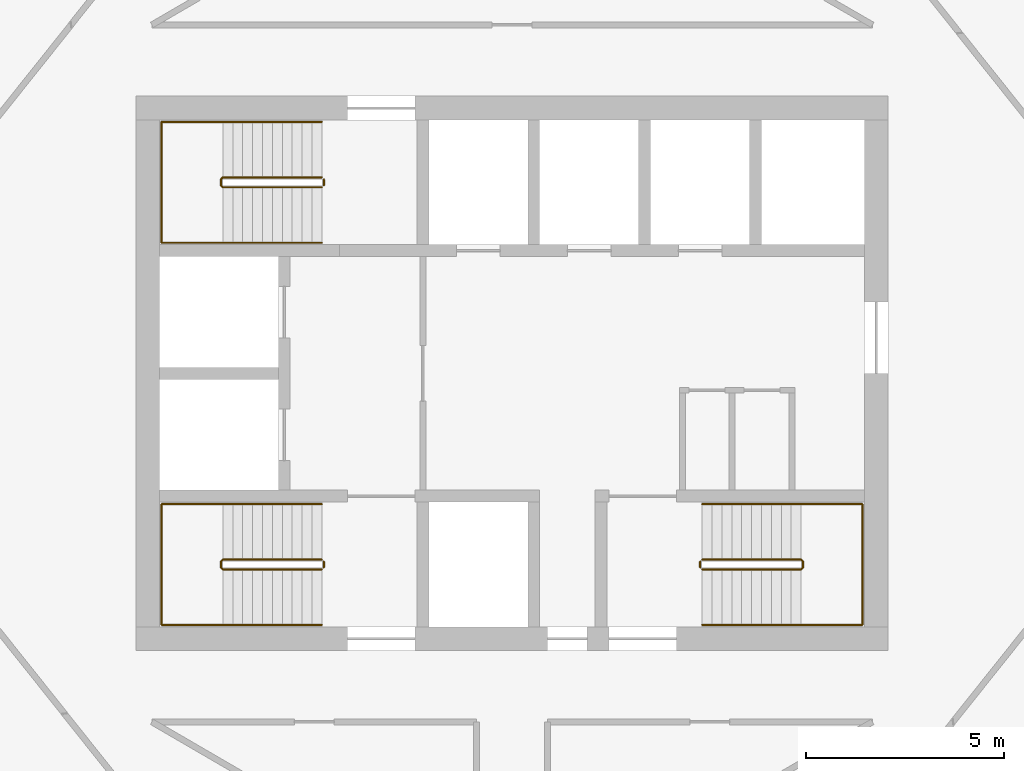
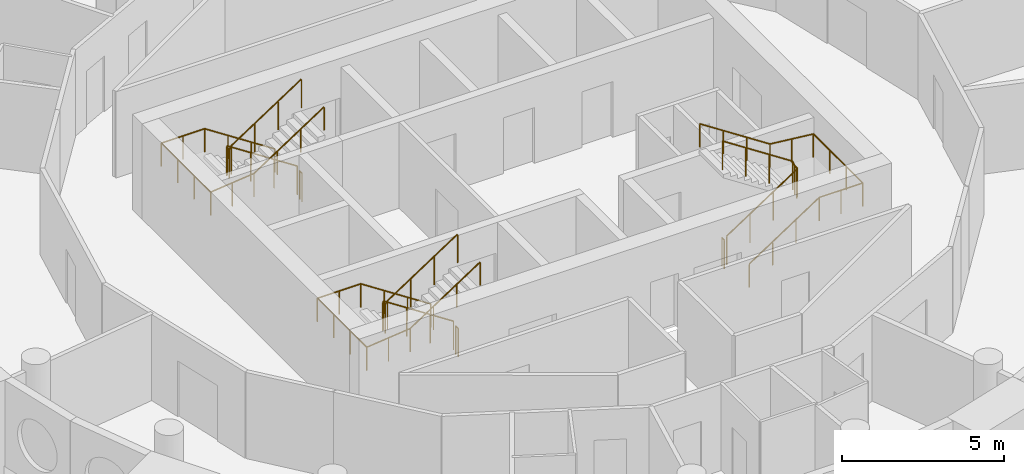
# One storey, part 13 of 13: 9 railings.
"""IFC4 building model written with IfcOpenShell, lengths in metres."""

from ifc_helpers import new_model, si_unit, direction, frame, origin, origin_2d, place, context, subcontext, project, spatial, circle, extrude, material, type_object, element, save


model = new_model("IFC4")

# Units and contexts
model_context = context("Model", 3, precision=1e-05, world=origin(), true_north=direction((0.0, 1.0)))
body_context = subcontext(model_context, "Body", "Model", "MODEL_VIEW")
ifc_project = project(units=[si_unit("LENGTHUNIT", "METRE"), si_unit("AREAUNIT", "SQUARE_METRE"), si_unit("VOLUMEUNIT", "CUBIC_METRE"), si_unit("PLANEANGLEUNIT", "RADIAN"), si_unit("MASSUNIT", "GRAM", prefix="KILO")], contexts=[model_context])

# Site, building, storey
site_placement = place(None, origin())
site = spatial("IfcSite", under=ifc_project, at=site_placement, CompositionType="ELEMENT")
building_placement = place(site_placement, origin())
building = spatial("IfcBuilding", under=site, at=building_placement, Name="Tracery Tower", CompositionType="ELEMENT")
storey_placement = place(building_placement, frame((0.0, 0.0, 316.199951171875)))
storey = spatial("IfcBuildingStorey", under=building, at=storey_placement, Name="L82", CompositionType="ELEMENT", Elevation=316.199951171875)

# Railings
ifc_material_1 = material(Name="Stainless steel and laminated glass", Category="steel")
railing_type_1 = type_object("IfcRailingType", Name="Stair guard 1100", PredefinedType="GUARDRAIL", material=ifc_material_1)
railing_1_placement = place(storey_placement, frame((-4.800048828125, -4.699951171875, 0.16357421875)))
element("IfcRailing", 1, at=railing_1_placement, inside=storey, type_object=railing_type_1, Name="L82 stair ST1 guard 1", PredefinedType="GUARDRAIL", context=body_context, shape_type="SweptSolid", body=[
    extrude(circle(Radius=0.02392578125, at=origin_2d()), frame((0.0, 0.0, 1.076171875), z_axis=(-0.83668449804, 0.0, 0.54768517484), x_axis=(0.0, -1.0, 0.0)), (0.0, 0.0, 1.0), 2.988037109375),
    extrude(circle(Radius=0.02392578125, at=origin_2d()), frame((-2.5, 0.0, 2.71240234375), z_axis=(-0.707106781187, -0.707106781187, 0.0), x_axis=(0.707106781187, -0.707106781187, 0.0)), (0.0, 0.0, 1.0), 0.07080078125),
    extrude(circle(Radius=0.02392578125, at=origin_2d()), frame((-2.550048828125, -0.050048828125, 2.71240234375), z_axis=(0.0, -1.0, 0.0), x_axis=(1.0, 0.0, 0.0)), (0.0, 0.0, 1.0), 0.14990234375),
    extrude(circle(Radius=0.02392578125, at=origin_2d()), frame((-2.550048828125, -0.199951171875, 2.71240234375), z_axis=(0.280808744504, -0.280808744504, 0.917765164963), x_axis=(0.707106781187, 0.707106781187, 0.0)), (0.0, 0.0, 1.0), 0.17822265625),
    extrude(circle(Radius=0.02392578125, at=origin_2d()), frame((-2.5, -0.25, 2.8759765625), z_axis=(0.83668449804, 0.0, 0.54768517484), x_axis=(0.0, 1.0, 0.0)), (0.0, 0.0, 1.0), 2.988037109375),
    extrude(circle(Radius=0.02099609375, at=origin_2d()), origin(), (0.0, 0.0, 1.0), 1.052001953125),
    extrude(circle(Radius=0.02099609375, at=origin_2d()), frame((-0.833251953125, 0.0, 0.54541015625)), (0.0, 0.0, 1.0), 1.052001953125),
    extrude(circle(Radius=0.02099609375, at=origin_2d()), frame((-1.666748046875, 0.0, 1.091064453125)), (0.0, 0.0, 1.0), 1.052001953125),
    extrude(circle(Radius=0.02099609375, at=origin_2d()), frame((-2.5, 0.0, 1.636474609375)), (0.0, 0.0, 1.0), 1.052001953125),
    extrude(circle(Radius=0.02099609375, at=origin_2d()), frame((-2.550048828125, -0.050048828125, 1.636474609375)), (0.0, 0.0, 1.0), 1.052001953125),
    extrude(circle(Radius=0.02099609375, at=origin_2d()), frame((-2.550048828125, -0.199951171875, 1.636474609375)), (0.0, 0.0, 1.0), 1.052001953125),
    extrude(circle(Radius=0.02099609375, at=origin_2d()), frame((-2.5, -0.25, 1.800048828125)), (0.0, 0.0, 1.0), 1.052001953125),
    extrude(circle(Radius=0.02099609375, at=origin_2d()), frame((-1.666748046875, -0.25, 2.345458984375)), (0.0, 0.0, 1.0), 1.052001953125),
    extrude(circle(Radius=0.02099609375, at=origin_2d()), frame((-0.833251953125, -0.25, 2.89111328125)), (0.0, 0.0, 1.0), 1.052001953125),
    extrude(circle(Radius=0.02099609375, at=origin_2d()), frame((0.0, -0.25, 3.4365234375)), (0.0, 0.0, 1.0), 1.052001953125),
])
railing_2_placement = place(storey_placement, frame((-4.75, -4.75, 0.0)))
element("IfcRailing", 2, at=railing_2_placement, inside=storey, type_object=railing_type_1, Name="L82 stair ST1 guard 2", PredefinedType="GUARDRAIL", context=body_context, shape_type="SweptSolid", body=[
    extrude(circle(Radius=0.02392578125, at=origin_2d()), frame((0.0, 0.0, 1.076171875), z_axis=(0.0, -1.0, 0.0), x_axis=(1.0, 0.0, 0.0)), (0.0, 0.0, 1.0), 0.14990234375),
    extrude(circle(Radius=0.02099609375, at=origin_2d()), origin(), (0.0, 0.0, 1.0), 1.052001953125),
    extrude(circle(Radius=0.02099609375, at=origin_2d()), frame((0.0, -0.14990234375, 0.0)), (0.0, 0.0, 1.0), 1.052001953125),
])
railing_3_placement = place(storey_placement, frame((-4.800048828125, 4.949951171875, 0.16357421875)))
element("IfcRailing", 3, at=railing_3_placement, inside=storey, type_object=railing_type_1, Name="L82 stair ST3 guard 1", PredefinedType="GUARDRAIL", context=body_context, shape_type="SweptSolid", body=[
    extrude(circle(Radius=0.02392578125, at=origin_2d()), frame((0.0, 0.0, 1.076171875), z_axis=(-0.83668449804, 0.0, 0.54768517484), x_axis=(0.0, -1.0, 0.0)), (0.0, 0.0, 1.0), 2.988037109375),
    extrude(circle(Radius=0.02392578125, at=origin_2d()), frame((-2.5, 0.0, 2.71240234375), z_axis=(-0.707106781187, -0.707106781187, 0.0), x_axis=(0.707106781187, -0.707106781187, 0.0)), (0.0, 0.0, 1.0), 0.07080078125),
    extrude(circle(Radius=0.02392578125, at=origin_2d()), frame((-2.550048828125, -0.050048828125, 2.71240234375), z_axis=(0.0, -1.0, 0.0), x_axis=(1.0, 0.0, 0.0)), (0.0, 0.0, 1.0), 0.14990234375),
    extrude(circle(Radius=0.02392578125, at=origin_2d()), frame((-2.550048828125, -0.199951171875, 2.71240234375), z_axis=(0.280808744504, -0.280808744504, 0.917765164963), x_axis=(0.707106781187, 0.707106781187, 0.0)), (0.0, 0.0, 1.0), 0.17822265625),
    extrude(circle(Radius=0.02392578125, at=origin_2d()), frame((-2.5, -0.25, 2.8759765625), z_axis=(0.83668449804, 0.0, 0.54768517484), x_axis=(0.0, 1.0, 0.0)), (0.0, 0.0, 1.0), 2.988037109375),
    extrude(circle(Radius=0.02099609375, at=origin_2d()), origin(), (0.0, 0.0, 1.0), 1.052001953125),
    extrude(circle(Radius=0.02099609375, at=origin_2d()), frame((-0.833251953125, 0.0, 0.54541015625)), (0.0, 0.0, 1.0), 1.052001953125),
    extrude(circle(Radius=0.02099609375, at=origin_2d()), frame((-1.666748046875, 0.0, 1.091064453125)), (0.0, 0.0, 1.0), 1.052001953125),
    extrude(circle(Radius=0.02099609375, at=origin_2d()), frame((-2.5, 0.0, 1.636474609375)), (0.0, 0.0, 1.0), 1.052001953125),
    extrude(circle(Radius=0.02099609375, at=origin_2d()), frame((-2.550048828125, -0.050048828125, 1.636474609375)), (0.0, 0.0, 1.0), 1.052001953125),
    extrude(circle(Radius=0.02099609375, at=origin_2d()), frame((-2.550048828125, -0.199951171875, 1.636474609375)), (0.0, 0.0, 1.0), 1.052001953125),
    extrude(circle(Radius=0.02099609375, at=origin_2d()), frame((-2.5, -0.25, 1.800048828125)), (0.0, 0.0, 1.0), 1.052001953125),
    extrude(circle(Radius=0.02099609375, at=origin_2d()), frame((-1.666748046875, -0.25, 2.345458984375)), (0.0, 0.0, 1.0), 1.052001953125),
    extrude(circle(Radius=0.02099609375, at=origin_2d()), frame((-0.833251953125, -0.25, 2.89111328125)), (0.0, 0.0, 1.0), 1.052001953125),
    extrude(circle(Radius=0.02099609375, at=origin_2d()), frame((0.0, -0.25, 3.4365234375)), (0.0, 0.0, 1.0), 1.052001953125),
])
railing_4_placement = place(storey_placement, frame((-4.75, 4.89990234375, 0.0)))
element("IfcRailing", 4, at=railing_4_placement, inside=storey, type_object=railing_type_1, Name="L82 stair ST3 guard 2", PredefinedType="GUARDRAIL", context=body_context, shape_type="SweptSolid", body=[
    extrude(circle(Radius=0.02392578125, at=origin_2d()), frame((0.0, 0.0, 1.076171875), z_axis=(0.0, -1.0, 0.0), x_axis=(1.0, 0.0, 0.0)), (0.0, 0.0, 1.0), 0.14990234375),
    extrude(circle(Radius=0.02099609375, at=origin_2d()), origin(), (0.0, 0.0, 1.0), 1.052001953125),
    extrude(circle(Radius=0.02099609375, at=origin_2d()), frame((0.0, -0.14990234375, 0.0)), (0.0, 0.0, 1.0), 1.052001953125),
])
railing_5_placement = place(storey_placement, frame((4.800048828125, -4.949951171875, 0.16357421875)))
element("IfcRailing", 5, at=railing_5_placement, inside=storey, type_object=railing_type_1, Name="L82 stair ST2 guard 1", PredefinedType="GUARDRAIL", context=body_context, shape_type="SweptSolid", body=[
    extrude(circle(Radius=0.02392578125, at=origin_2d()), frame((0.0, 0.0, 1.076171875), z_axis=(0.83668449804, 0.0, 0.54768517484), x_axis=(0.0, 1.0, 0.0)), (0.0, 0.0, 1.0), 2.988037109375),
    extrude(circle(Radius=0.02392578125, at=origin_2d()), frame((2.5, 0.0, 2.71240234375), z_axis=(0.707106781187, 0.707106781187, 0.0), x_axis=(-0.707106781187, 0.707106781187, 0.0)), (0.0, 0.0, 1.0), 0.07080078125),
    extrude(circle(Radius=0.02392578125, at=origin_2d()), frame((2.550048828125, 0.050048828125, 2.71240234375), z_axis=(0.0, 1.0, 0.0), x_axis=(-1.0, 0.0, 0.0)), (0.0, 0.0, 1.0), 0.14990234375),
    extrude(circle(Radius=0.02392578125, at=origin_2d()), frame((2.550048828125, 0.199951171875, 2.71240234375), z_axis=(-0.280808744504, 0.280808744504, 0.917765164963), x_axis=(-0.707106781187, -0.707106781187, 0.0)), (0.0, 0.0, 1.0), 0.17822265625),
    extrude(circle(Radius=0.02392578125, at=origin_2d()), frame((2.5, 0.25, 2.8759765625), z_axis=(-0.83668449804, 0.0, 0.54768517484), x_axis=(0.0, -1.0, 0.0)), (0.0, 0.0, 1.0), 2.988037109375),
    extrude(circle(Radius=0.02099609375, at=origin_2d()), origin(), (0.0, 0.0, 1.0), 1.052001953125),
    extrude(circle(Radius=0.02099609375, at=origin_2d()), frame((0.833251953125, 0.0, 0.54541015625)), (0.0, 0.0, 1.0), 1.052001953125),
    extrude(circle(Radius=0.02099609375, at=origin_2d()), frame((1.666748046875, 0.0, 1.091064453125)), (0.0, 0.0, 1.0), 1.052001953125),
    extrude(circle(Radius=0.02099609375, at=origin_2d()), frame((2.5, 0.0, 1.636474609375)), (0.0, 0.0, 1.0), 1.052001953125),
    extrude(circle(Radius=0.02099609375, at=origin_2d()), frame((2.550048828125, 0.050048828125, 1.636474609375)), (0.0, 0.0, 1.0), 1.052001953125),
    extrude(circle(Radius=0.02099609375, at=origin_2d()), frame((2.550048828125, 0.199951171875, 1.636474609375)), (0.0, 0.0, 1.0), 1.052001953125),
    extrude(circle(Radius=0.02099609375, at=origin_2d()), frame((2.5, 0.25, 1.800048828125)), (0.0, 0.0, 1.0), 1.052001953125),
    extrude(circle(Radius=0.02099609375, at=origin_2d()), frame((1.666748046875, 0.25, 2.345458984375)), (0.0, 0.0, 1.0), 1.052001953125),
    extrude(circle(Radius=0.02099609375, at=origin_2d()), frame((0.833251953125, 0.25, 2.89111328125)), (0.0, 0.0, 1.0), 1.052001953125),
    extrude(circle(Radius=0.02099609375, at=origin_2d()), frame((0.0, 0.25, 3.4365234375)), (0.0, 0.0, 1.0), 1.052001953125),
])
railing_6_placement = place(storey_placement, frame((4.75, -4.89990234375, 0.0)))
element("IfcRailing", 6, at=railing_6_placement, inside=storey, type_object=railing_type_1, Name="L82 stair ST2 guard 2", PredefinedType="GUARDRAIL", context=body_context, shape_type="SweptSolid", body=[
    extrude(circle(Radius=0.02392578125, at=origin_2d()), frame((0.0, 0.0, 1.076171875), z_axis=(0.0, 1.0, 0.0), x_axis=(-1.0, 0.0, 0.0)), (0.0, 0.0, 1.0), 0.14990234375),
    extrude(circle(Radius=0.02099609375, at=origin_2d()), origin(), (0.0, 0.0, 1.0), 1.052001953125),
    extrude(circle(Radius=0.02099609375, at=origin_2d()), frame((0.0, 0.14990234375, 0.0)), (0.0, 0.0, 1.0), 1.052001953125),
])
ifc_material_2 = material(Name="Stainless steel and laminated glass", Category="steel")
railing_type_2 = type_object("IfcRailingType", Name="Stair handrail 900", PredefinedType="HANDRAIL", material=ifc_material_2)
railing_7_placement = place(storey_placement, frame((-4.800048828125, -3.300048828125, 0.16357421875)))
element("IfcRailing", 7, at=railing_7_placement, inside=storey, type_object=railing_type_2, Name="L82 stair ST1 handrail 1", PredefinedType="HANDRAIL", context=body_context, shape_type="SweptSolid", body=[
    extrude(circle(Radius=0.02392578125, at=origin_2d()), frame((0.0, 0.0, 0.8759765625), z_axis=(-0.83668449804, 0.0, 0.54768517484), x_axis=(0.0, -1.0, 0.0)), (0.0, 0.0, 1.0), 2.988037109375),
    extrude(circle(Radius=0.02392578125, at=origin_2d()), frame((-2.5, 0.0, 2.51220703125), z_axis=(-1.0, 0.0, 0.0), x_axis=(0.0, -1.0, 0.0)), (0.0, 0.0, 1.0), 1.550048828125),
    extrude(circle(Radius=0.02392578125, at=origin_2d()), frame((-4.050048828125, 0.0, 2.51220703125), z_axis=(0.0, -1.0, 0.0), x_axis=(1.0, 0.0, 0.0)), (0.0, 0.0, 1.0), 3.050048828125),
    extrude(circle(Radius=0.02392578125, at=origin_2d()), frame((-4.050048828125, -3.050048828125, 2.51220703125), z_axis=(0.994477953863, 0.0, 0.104945696817), x_axis=(0.0, 1.0, 0.0)), (0.0, 0.0, 1.0), 1.55859375),
    extrude(circle(Radius=0.02392578125, at=origin_2d()), frame((-2.5, -3.050048828125, 2.67578125), z_axis=(0.83668449804, 0.0, 0.54768517484), x_axis=(0.0, 1.0, 0.0)), (0.0, 0.0, 1.0), 2.988037109375),
    extrude(circle(Radius=0.02099609375, at=origin_2d()), origin(), (0.0, 0.0, 1.0), 0.851806640625),
    extrude(circle(Radius=0.02099609375, at=origin_2d()), frame((-0.833251953125, 0.0, 0.54541015625)), (0.0, 0.0, 1.0), 0.851806640625),
    extrude(circle(Radius=0.02099609375, at=origin_2d()), frame((-1.666748046875, 0.0, 1.091064453125)), (0.0, 0.0, 1.0), 0.851806640625),
    extrude(circle(Radius=0.02099609375, at=origin_2d()), frame((-2.5, 0.0, 1.636474609375)), (0.0, 0.0, 1.0), 0.851806640625),
    extrude(circle(Radius=0.02099609375, at=origin_2d()), frame((-3.27490234375, 0.0, 1.636474609375)), (0.0, 0.0, 1.0), 0.851806640625),
    extrude(circle(Radius=0.02099609375, at=origin_2d()), frame((-4.050048828125, 0.0, 1.636474609375)), (0.0, 0.0, 1.0), 0.851806640625),
    extrude(circle(Radius=0.02099609375, at=origin_2d()), frame((-4.050048828125, -1.0166015625, 1.636474609375)), (0.0, 0.0, 1.0), 0.851806640625),
    extrude(circle(Radius=0.02099609375, at=origin_2d()), frame((-4.050048828125, -2.033447265625, 1.636474609375)), (0.0, 0.0, 1.0), 0.851806640625),
    extrude(circle(Radius=0.02099609375, at=origin_2d()), frame((-4.050048828125, -3.050048828125, 1.636474609375)), (0.0, 0.0, 1.0), 0.851806640625),
    extrude(circle(Radius=0.02099609375, at=origin_2d()), frame((-3.27490234375, -3.050048828125, 1.71826171875)), (0.0, 0.0, 1.0), 0.851806640625),
    extrude(circle(Radius=0.02099609375, at=origin_2d()), frame((-2.5, -3.050048828125, 1.800048828125)), (0.0, 0.0, 1.0), 0.851806640625),
    extrude(circle(Radius=0.02099609375, at=origin_2d()), frame((-1.666748046875, -3.050048828125, 2.345458984375)), (0.0, 0.0, 1.0), 0.851806640625),
    extrude(circle(Radius=0.02099609375, at=origin_2d()), frame((-0.833251953125, -3.050048828125, 2.89111328125)), (0.0, 0.0, 1.0), 0.851806640625),
    extrude(circle(Radius=0.02099609375, at=origin_2d()), frame((0.0, -3.050048828125, 3.4365234375)), (0.0, 0.0, 1.0), 0.851806640625),
])
railing_8_placement = place(storey_placement, frame((-4.800048828125, 6.35009765625, 0.16357421875)))
element("IfcRailing", 8, at=railing_8_placement, inside=storey, type_object=railing_type_2, Name="L82 stair ST3 handrail 1", PredefinedType="HANDRAIL", context=body_context, shape_type="SweptSolid", body=[
    extrude(circle(Radius=0.02392578125, at=origin_2d()), frame((0.0, 0.0, 0.8759765625), z_axis=(-0.83668449804, 0.0, 0.54768517484), x_axis=(0.0, -1.0, 0.0)), (0.0, 0.0, 1.0), 2.988037109375),
    extrude(circle(Radius=0.02392578125, at=origin_2d()), frame((-2.5, 0.0, 2.51220703125), z_axis=(-1.0, 0.0, 0.0), x_axis=(0.0, -1.0, 0.0)), (0.0, 0.0, 1.0), 1.550048828125),
    extrude(circle(Radius=0.02392578125, at=origin_2d()), frame((-4.050048828125, 0.0, 2.51220703125), z_axis=(0.0, -1.0, 0.0), x_axis=(1.0, 0.0, 0.0)), (0.0, 0.0, 1.0), 3.050048828125),
    extrude(circle(Radius=0.02392578125, at=origin_2d()), frame((-4.050048828125, -3.050048828125, 2.51220703125), z_axis=(0.994477953863, 0.0, 0.104945696817), x_axis=(0.0, 1.0, 0.0)), (0.0, 0.0, 1.0), 1.55859375),
    extrude(circle(Radius=0.02392578125, at=origin_2d()), frame((-2.5, -3.050048828125, 2.67578125), z_axis=(0.83668449804, 0.0, 0.54768517484), x_axis=(0.0, 1.0, 0.0)), (0.0, 0.0, 1.0), 2.988037109375),
    extrude(circle(Radius=0.02099609375, at=origin_2d()), origin(), (0.0, 0.0, 1.0), 0.851806640625),
    extrude(circle(Radius=0.02099609375, at=origin_2d()), frame((-0.833251953125, 0.0, 0.54541015625)), (0.0, 0.0, 1.0), 0.851806640625),
    extrude(circle(Radius=0.02099609375, at=origin_2d()), frame((-1.666748046875, 0.0, 1.091064453125)), (0.0, 0.0, 1.0), 0.851806640625),
    extrude(circle(Radius=0.02099609375, at=origin_2d()), frame((-2.5, 0.0, 1.636474609375)), (0.0, 0.0, 1.0), 0.851806640625),
    extrude(circle(Radius=0.02099609375, at=origin_2d()), frame((-3.27490234375, 0.0, 1.636474609375)), (0.0, 0.0, 1.0), 0.851806640625),
    extrude(circle(Radius=0.02099609375, at=origin_2d()), frame((-4.050048828125, 0.0, 1.636474609375)), (0.0, 0.0, 1.0), 0.851806640625),
    extrude(circle(Radius=0.02099609375, at=origin_2d()), frame((-4.050048828125, -1.0166015625, 1.636474609375)), (0.0, 0.0, 1.0), 0.851806640625),
    extrude(circle(Radius=0.02099609375, at=origin_2d()), frame((-4.050048828125, -2.033447265625, 1.636474609375)), (0.0, 0.0, 1.0), 0.851806640625),
    extrude(circle(Radius=0.02099609375, at=origin_2d()), frame((-4.050048828125, -3.050048828125, 1.636474609375)), (0.0, 0.0, 1.0), 0.851806640625),
    extrude(circle(Radius=0.02099609375, at=origin_2d()), frame((-3.27490234375, -3.050048828125, 1.71826171875)), (0.0, 0.0, 1.0), 0.851806640625),
    extrude(circle(Radius=0.02099609375, at=origin_2d()), frame((-2.5, -3.050048828125, 1.800048828125)), (0.0, 0.0, 1.0), 0.851806640625),
    extrude(circle(Radius=0.02099609375, at=origin_2d()), frame((-1.666748046875, -3.050048828125, 2.345458984375)), (0.0, 0.0, 1.0), 0.851806640625),
    extrude(circle(Radius=0.02099609375, at=origin_2d()), frame((-0.833251953125, -3.050048828125, 2.89111328125)), (0.0, 0.0, 1.0), 0.851806640625),
    extrude(circle(Radius=0.02099609375, at=origin_2d()), frame((0.0, -3.050048828125, 3.4365234375)), (0.0, 0.0, 1.0), 0.851806640625),
])
railing_9_placement = place(storey_placement, frame((4.800048828125, -6.35009765625, 0.16357421875)))
element("IfcRailing", 9, at=railing_9_placement, inside=storey, type_object=railing_type_2, Name="L82 stair ST2 handrail 1", PredefinedType="HANDRAIL", context=body_context, shape_type="SweptSolid", body=[
    extrude(circle(Radius=0.02392578125, at=origin_2d()), frame((0.0, 0.0, 0.8759765625), z_axis=(0.83668449804, 0.0, 0.54768517484), x_axis=(0.0, 1.0, 0.0)), (0.0, 0.0, 1.0), 2.988037109375),
    extrude(circle(Radius=0.02392578125, at=origin_2d()), frame((2.5, 0.0, 2.51220703125), z_axis=(1.0, 0.0, 0.0), x_axis=(0.0, 1.0, 0.0)), (0.0, 0.0, 1.0), 1.550048828125),
    extrude(circle(Radius=0.02392578125, at=origin_2d()), frame((4.050048828125, 0.0, 2.51220703125), z_axis=(0.0, 1.0, 0.0), x_axis=(-1.0, 0.0, 0.0)), (0.0, 0.0, 1.0), 3.050048828125),
    extrude(circle(Radius=0.02392578125, at=origin_2d()), frame((4.050048828125, 3.050048828125, 2.51220703125), z_axis=(-0.994477953863, 0.0, 0.104945696817), x_axis=(0.0, -1.0, 0.0)), (0.0, 0.0, 1.0), 1.55859375),
    extrude(circle(Radius=0.02392578125, at=origin_2d()), frame((2.5, 3.050048828125, 2.67578125), z_axis=(-0.83668449804, 0.0, 0.54768517484), x_axis=(0.0, -1.0, 0.0)), (0.0, 0.0, 1.0), 2.988037109375),
    extrude(circle(Radius=0.02099609375, at=origin_2d()), origin(), (0.0, 0.0, 1.0), 0.851806640625),
    extrude(circle(Radius=0.02099609375, at=origin_2d()), frame((0.833251953125, 0.0, 0.54541015625)), (0.0, 0.0, 1.0), 0.851806640625),
    extrude(circle(Radius=0.02099609375, at=origin_2d()), frame((1.666748046875, 0.0, 1.091064453125)), (0.0, 0.0, 1.0), 0.851806640625),
    extrude(circle(Radius=0.02099609375, at=origin_2d()), frame((2.5, 0.0, 1.636474609375)), (0.0, 0.0, 1.0), 0.851806640625),
    extrude(circle(Radius=0.02099609375, at=origin_2d()), frame((3.27490234375, 0.0, 1.636474609375)), (0.0, 0.0, 1.0), 0.851806640625),
    extrude(circle(Radius=0.02099609375, at=origin_2d()), frame((4.050048828125, 0.0, 1.636474609375)), (0.0, 0.0, 1.0), 0.851806640625),
    extrude(circle(Radius=0.02099609375, at=origin_2d()), frame((4.050048828125, 1.0166015625, 1.636474609375)), (0.0, 0.0, 1.0), 0.851806640625),
    extrude(circle(Radius=0.02099609375, at=origin_2d()), frame((4.050048828125, 2.033447265625, 1.636474609375)), (0.0, 0.0, 1.0), 0.851806640625),
    extrude(circle(Radius=0.02099609375, at=origin_2d()), frame((4.050048828125, 3.050048828125, 1.636474609375)), (0.0, 0.0, 1.0), 0.851806640625),
    extrude(circle(Radius=0.02099609375, at=origin_2d()), frame((3.27490234375, 3.050048828125, 1.71826171875)), (0.0, 0.0, 1.0), 0.851806640625),
    extrude(circle(Radius=0.02099609375, at=origin_2d()), frame((2.5, 3.050048828125, 1.800048828125)), (0.0, 0.0, 1.0), 0.851806640625),
    extrude(circle(Radius=0.02099609375, at=origin_2d()), frame((1.666748046875, 3.050048828125, 2.345458984375)), (0.0, 0.0, 1.0), 0.851806640625),
    extrude(circle(Radius=0.02099609375, at=origin_2d()), frame((0.833251953125, 3.050048828125, 2.89111328125)), (0.0, 0.0, 1.0), 0.851806640625),
    extrude(circle(Radius=0.02099609375, at=origin_2d()), frame((0.0, 3.050048828125, 3.4365234375)), (0.0, 0.0, 1.0), 0.851806640625),
])

save(model, "model.ifc")
